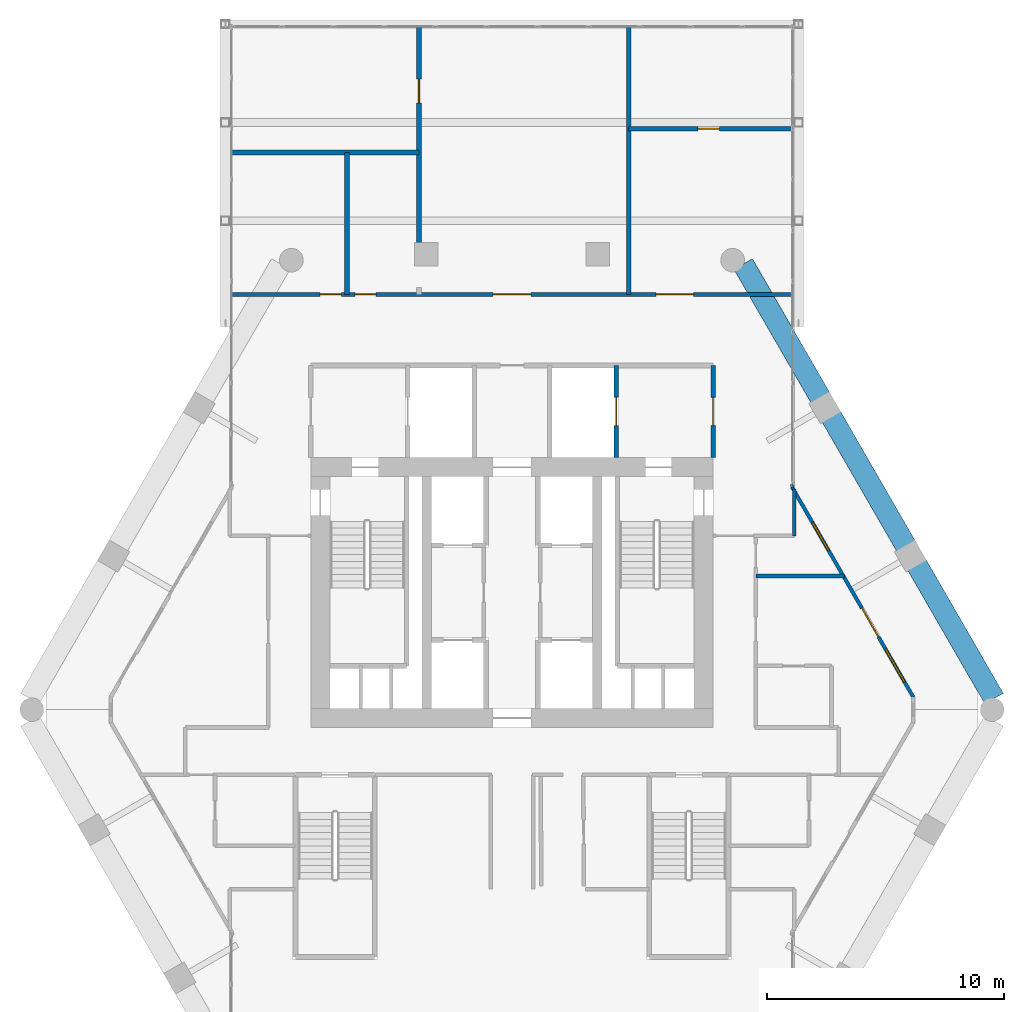
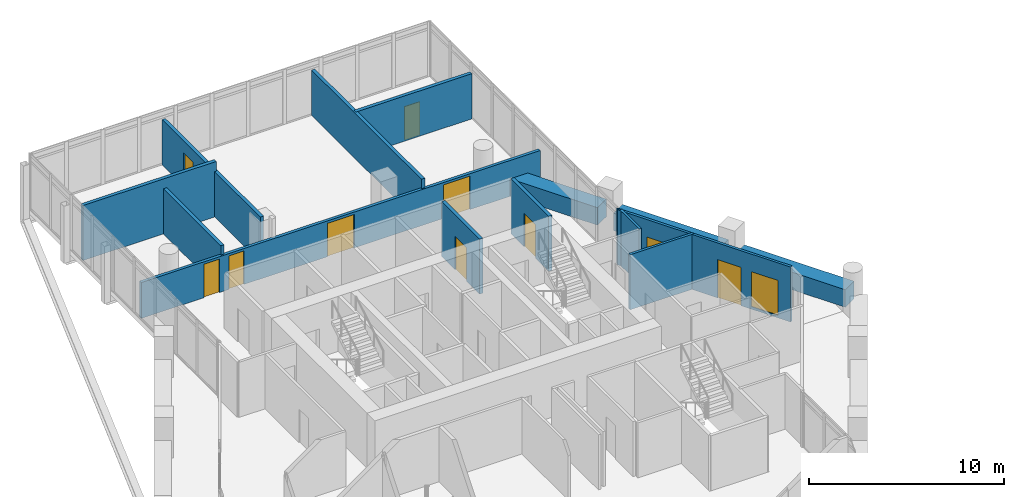
# One storey, part 35 of 38: 15 walls, 9 doors, 2 windows, 11 openings.
"""IFC4 building model written with IfcOpenShell, lengths in metres."""

from ifc_helpers import new_model, si_unit, direction, frame, frame_2d, origin, place, context, subcontext, project, spatial, rectangle, extrude, material, layer, layer_set, type_object, element, fill, save


model = new_model("IFC4")

# Units and contexts
model_context = context("Model", 3, precision=1e-05, world=origin(), true_north=direction((0.0, 1.0)))
body_context = subcontext(model_context, "Body", "Model", "MODEL_VIEW")
ifc_project = project(units=[si_unit("LENGTHUNIT", "METRE"), si_unit("AREAUNIT", "SQUARE_METRE"), si_unit("VOLUMEUNIT", "CUBIC_METRE"), si_unit("PLANEANGLEUNIT", "RADIAN"), si_unit("MASSUNIT", "GRAM", prefix="KILO")], contexts=[model_context])

# Site, building, storey
site_placement = place(None, origin())
site = spatial("IfcSite", under=ifc_project, at=site_placement, CompositionType="ELEMENT")
building_placement = place(site_placement, origin())
building = spatial("IfcBuilding", under=site, at=building_placement, Name="Ostrander Bayou Hotel Tower", CompositionType="ELEMENT")
storey_placement = place(building_placement, frame((0.0, 0.0, 194.5)))
storey = spatial("IfcBuildingStorey", under=building, at=storey_placement, Name="L48", CompositionType="ELEMENT", Elevation=194.5)

# Wall, openings, door, windows
ifc_material_1 = material(Name="Aluminium framed insulated wall", Category="aluminium")
ifc_layer_1 = layer(ifc_material_1, 0.14990234375)
ifc_layer_set_1 = layer_set([ifc_layer_1], Name="GW1 glass-line wall 150 mm")
wall_type_1 = type_object("IfcWallType", Name="GW1 glass-line wall 150 mm", PredefinedType="SOLIDWALL", material=ifc_layer_set_1)
wall_1_placement = place(storey_placement, frame((16.955810546875, -0.416748046875, 0.0), z_axis=(0.0, 0.0, 1.0), x_axis=(-0.499996992154, 0.866027140358, 0.0)))
wall_1 = element("IfcWall", 1, at=wall_1_placement, inside=storey, type_object=wall_type_1, Name="GW1 L48 NE 1", PredefinedType="SOLIDWALL", context=body_context, shape_type="SweptSolid", body=[
    extrude(rectangle(XDim=10.263671875, YDim=0.14990234375, at=frame_2d((5.1318359375, 0.0))), origin(), (0.0, 0.0, 1.0), 3.449951171875),
])
opening_1_placement = place(wall_1_placement, frame((0.73876953125, 0.0, 0.14990234375)))
opening_1 = element("IfcOpeningElement", 2, at=opening_1_placement, cuts=wall_1, Name="Opening W9", PredefinedType="OPENING", context=body_context, shape_type="SweptSolid", body=[
    extrude(rectangle(XDim=1.60009765625, YDim=2.199951171875, at=frame_2d((0.800048828125, 1.10009765625))), frame((0.0, 0.074951171875, 0.0), z_axis=(0.0, -1.0, 0.0), x_axis=(1.0, 0.0, 0.0)), (0.0, 0.0, 1.0), 0.14990234375),
])
opening_2_placement = place(wall_1_placement, frame((2.938720703125, 0.0, 0.0)))
opening_2 = element("IfcOpeningElement", 3, at=opening_2_placement, cuts=wall_1, Name="Opening T48-804", PredefinedType="OPENING", context=body_context, shape_type="SweptSolid", body=[
    extrude(rectangle(XDim=1.39990234375, YDim=2.39990234375, at=frame_2d((0.699951171875, 1.199951171875))), frame((0.0, 0.074951171875, 0.0), z_axis=(0.0, -1.0, 0.0), x_axis=(1.0, 0.0, 0.0)), (0.0, 0.0, 1.0), 0.14990234375),
])
opening_3_placement = place(wall_1_placement, frame((7.138916015625, 0.0, 0.14990234375)))
opening_3 = element("IfcOpeningElement", 4, at=opening_3_placement, cuts=wall_1, Name="Opening W13", PredefinedType="OPENING", context=body_context, shape_type="SweptSolid", body=[
    extrude(rectangle(XDim=1.39990234375, YDim=2.199951171875, at=frame_2d((0.699951171875, 1.10009765625))), frame((0.0, 0.074951171875, 0.0), z_axis=(0.0, -1.0, 0.0), x_axis=(1.0, 0.0, 0.0)), (0.0, 0.0, 1.0), 0.14990234375),
])
ifc_material_2 = material(Name="Aluminium and clear glass", Category="aluminium")
door_type_1 = type_object("IfcDoorType", Name="SD3 sliding glass door 1400 mm, zone 3", OperationType="SLIDING_TO_LEFT", PredefinedType="DOOR", material=ifc_material_2)
door_1_placement = place(opening_2_placement, origin())
door_1 = element("IfcDoor", 5, at=door_1_placement, inside=storey, type_object=door_type_1, Name="SD3 L48 NE 1", OperationType="SLIDING_TO_LEFT", OverallHeight=2.39990234375, OverallWidth=1.39990234375, PredefinedType="DOOR", context=body_context, shape_type="SweptSolid", body=[
    extrude(rectangle(XDim=1.39990234375, YDim=2.39990234375, at=frame_2d((0.699951171875, 1.199951171875))), frame((0.0, 0.02490234375, 0.0), z_axis=(0.0, -1.0, 0.0), x_axis=(1.0, 0.0, 0.0)), (0.0, 0.0, 1.0), 0.050048828125),
])
fill(opening_2, door_1)
ifc_material_3 = material(Name="Aluminium and clear glass", Category="aluminium")
window_type_1 = type_object("IfcWindowType", Name="W13 fixed window 1400 mm, bath bay, zone 3", PartitioningType="SINGLE_PANEL", PredefinedType="WINDOW", material=ifc_material_3)
window_1_placement = place(opening_3_placement, origin())
window_1 = element("IfcWindow", 6, at=window_1_placement, inside=storey, type_object=window_type_1, Name="W13 L48 NE 2", OverallHeight=2.199951171875, OverallWidth=1.39990234375, PartitioningType="SINGLE_PANEL", PredefinedType="WINDOW", context=body_context, shape_type="SweptSolid", body=[
    extrude(rectangle(XDim=1.39990234375, YDim=2.199951171875, at=frame_2d((0.699951171875, 1.10009765625))), frame((0.0, 0.030029296875, 0.0), z_axis=(0.0, -1.0, 0.0), x_axis=(1.0, 0.0, 0.0)), (0.0, 0.0, 1.0), 0.06005859375),
])
fill(opening_3, window_1)
ifc_material_4 = material(Name="Aluminium and clear glass", Category="aluminium")
window_type_2 = type_object("IfcWindowType", Name="W9 fixed window 1600 mm, bar storeys, zone 3", PartitioningType="SINGLE_PANEL", PredefinedType="WINDOW", material=ifc_material_4)
window_2_placement = place(opening_1_placement, origin())
window_2 = element("IfcWindow", 7, at=window_2_placement, inside=storey, type_object=window_type_2, Name="W9 L48 NE 1", OverallHeight=2.199951171875, OverallWidth=1.60009765625, PartitioningType="SINGLE_PANEL", PredefinedType="WINDOW", context=body_context, shape_type="SweptSolid", body=[
    extrude(rectangle(XDim=1.60009765625, YDim=2.199951171875, at=frame_2d((0.800048828125, 1.10009765625))), frame((0.0, 0.030029296875, 0.0), z_axis=(0.0, -1.0, 0.0), x_axis=(1.0, 0.0, 0.0)), (0.0, 0.0, 1.0), 0.06005859375),
])
fill(opening_1, window_2)

# Walls
wall_2_placement = place(storey_placement, frame((11.823974609375, 8.471923828125, 0.0), z_axis=(0.0, 0.0, 1.0), x_axis=(0.337751931921, 0.941235163221, 0.0)))
element("IfcWall", 8, at=wall_2_placement, inside=storey, type_object=wall_type_1, Name="GW1 L48 bar joint 4", PredefinedType="SOLIDWALL", context=body_context, shape_type="SweptSolid", body=[
    extrude(rectangle(XDim=0.098388671875, YDim=0.14990234375, at=frame_2d((0.04931640625, 0.0))), origin(), (0.0, 0.0, 1.0), 3.449951171875),
])
ifc_material_5 = material(Name="Concrete f'c 40 MPa", Category="concrete")
ifc_layer_2 = layer(ifc_material_5, 0.89990234375)
ifc_layer_set_2 = layer_set([ifc_layer_2], Name="PA1 stone-faced parapet 900 mm")
wall_type_2 = type_object("IfcWallType", Name="PA1 stone-faced parapet 900 mm", PredefinedType="PARAPET", material=ifc_layer_set_2)
wall_3_placement = place(storey_placement, frame((20.36962890625, -0.4794921875, 0.0), z_axis=(0.0, 0.0, 1.0), x_axis=(-0.500022104698, 0.866012641255, 0.0)))
element("IfcWall", 9, at=wall_3_placement, inside=storey, type_object=wall_type_2, Name="PA1 L48 NE-1", PredefinedType="PARAPET", context=body_context, shape_type="SweptSolid", body=[
    extrude(rectangle(XDim=6.511962890625, YDim=0.89990234375, at=frame_2d((3.255859375, 0.0))), origin(), (0.0, 0.0, 1.0), 1.10009765625),
])
wall_4_placement = place(storey_placement, frame((16.6435546875, 5.97412109375, 0.0), z_axis=(0.0, 0.0, 1.0), x_axis=(-0.499984268907, 0.866034485945, 0.0)))
element("IfcWall", 10, at=wall_4_placement, inside=storey, type_object=wall_type_2, Name="PA1 L48 NE-2", PredefinedType="PARAPET", context=body_context, shape_type="SweptSolid", body=[
    extrude(rectangle(XDim=6.296142578125, YDim=0.89990234375, at=frame_2d((3.14794921875, 0.0))), origin(), (0.0, 0.0, 1.0), 1.10009765625),
])
wall_5_placement = place(storey_placement, frame((13.025390625, 12.24072265625, 0.0), z_axis=(0.0, 0.0, 1.0), x_axis=(-0.499977752261, 0.866038248142, 0.0)))
element("IfcWall", 11, at=wall_5_placement, inside=storey, type_object=wall_type_2, Name="PA1 L48 NE-3", PredefinedType="PARAPET", context=body_context, shape_type="SweptSolid", body=[
    extrude(rectangle(XDim=6.511962890625, YDim=0.89990234375, at=frame_2d((3.255859375, 0.0))), origin(), (0.0, 0.0, 1.0), 1.10009765625),
])
ifc_material_6 = material(Name="Gypsum board partition", Category="finish")
ifc_layer_3 = layer(ifc_material_6, 0.199951171875)
ifc_layer_set_3 = layer_set([ifc_layer_3], Name="PT3 demising wall 200 mm acoustic double stud, 1 hour")
wall_type_3 = type_object("IfcWallType", Name="PT3 demising wall 200 mm acoustic double stud, 1 hour", PredefinedType="PARTITIONING", material=ifc_layer_set_3)
wall_6_placement = place(storey_placement, frame((-11.838134765625, 22.60009765625, 0.0), z_axis=(0.0, 0.0, 1.0), x_axis=(1.0, 0.0, 0.0)))
element("IfcWall", 12, at=wall_6_placement, inside=storey, type_object=wall_type_3, Name="sw:L48:503", PredefinedType="PARTITIONING", context=body_context, shape_type="SweptSolid", body=[
    extrude(rectangle(XDim=7.906005859375, YDim=0.199951171875, at=frame_2d((3.953125, 0.0))), origin(), (0.0, 0.0, 1.0), 3.449951171875),
])

# Wall, opening, door
wall_7_placement = place(storey_placement, frame((4.93212890625, 23.60009765625, 0.0), z_axis=(0.0, 0.0, 1.0), x_axis=(1.0, 0.0, 0.0)))
wall_7 = element("IfcWall", 13, at=wall_7_placement, inside=storey, type_object=wall_type_3, Name="sw:L48:504", PredefinedType="PARTITIONING", context=body_context, shape_type="SweptSolid", body=[
    extrude(rectangle(XDim=6.8701171875, YDim=0.199951171875, at=frame_2d((3.43505859375, 0.0))), origin(), (0.0, 0.0, 1.0), 2.8388671875),
])
opening_4_placement = place(wall_7_placement, frame((2.93505859375, 0.0, 0.0)))
opening_4 = element("IfcOpeningElement", 14, at=opening_4_placement, cuts=wall_7, Name="Opening T48-1206", PredefinedType="OPENING", context=body_context, shape_type="SweptSolid", body=[
    extrude(rectangle(XDim=0.89990234375, YDim=2.10009765625, at=frame_2d((0.449951171875, 1.050048828125))), frame((0.0, 0.10009765625, 0.0), z_axis=(0.0, -1.0, 0.0), x_axis=(1.0, 0.0, 0.0)), (0.0, 0.0, 1.0), 0.199951171875),
])
ifc_material_7 = material(Name="Timber door leaf", Category="wood")
door_type_2 = type_object("IfcDoorType", Name="D8 room door 900 x 2100 mm", OperationType="SINGLE_SWING_LEFT", PredefinedType="DOOR", material=ifc_material_7)
door_2_placement = place(opening_4_placement, origin())
door_2 = element("IfcDoor", 15, at=door_2_placement, inside=storey, type_object=door_type_2, Name="dr:L48:1206", OperationType="SINGLE_SWING_RIGHT", OverallHeight=2.10009765625, OverallWidth=0.89990234375, PredefinedType="DOOR", context=body_context, shape_type="SweptSolid", body=[
    extrude(rectangle(XDim=0.89990234375, YDim=2.10009765625, at=frame_2d((0.449951171875, 1.050048828125))), frame((0.0, 0.02490234375, 0.0), z_axis=(0.0, -1.0, 0.0), x_axis=(1.0, 0.0, 0.0)), (0.0, 0.0, 1.0), 0.050048828125),
])
fill(opening_4, door_2)

# Wall
wall_8_placement = place(storey_placement, frame((-6.971923828125, 16.60009765625, 0.0), z_axis=(0.0, 0.0, 1.0), x_axis=(0.0, 1.0, 0.0)))
element("IfcWall", 16, at=wall_8_placement, inside=storey, type_object=wall_type_3, Name="sw:L48:505", PredefinedType="PARTITIONING", context=body_context, shape_type="SweptSolid", body=[
    extrude(rectangle(XDim=6.0, YDim=0.199951171875, at=frame_2d((3.0, 0.0))), origin(), (0.0, 0.0, 1.0), 2.8388671875),
])

# Wall, opening, door
wall_9_placement = place(storey_placement, frame((-3.931884765625, 17.806640625, 0.0), z_axis=(0.0, 0.0, 1.0), x_axis=(0.0, 1.0, 0.0)))
wall_9 = element("IfcWall", 17, at=wall_9_placement, inside=storey, type_object=wall_type_3, Name="sw:L48:508", PredefinedType="PARTITIONING", context=body_context, shape_type="SweptSolid", body=[
    extrude(rectangle(XDim=10.090576171875, YDim=0.199951171875, at=frame_2d((5.04541015625, 0.0))), origin(), (0.0, 0.0, 1.0), 2.8388671875),
])
opening_5_placement = place(wall_9_placement, frame((6.886474609375, 0.0, 0.0)))
opening_5 = element("IfcOpeningElement", 18, at=opening_5_placement, cuts=wall_9, Name="Opening T48-1207", PredefinedType="OPENING", context=body_context, shape_type="SweptSolid", body=[
    extrude(rectangle(XDim=1.0, YDim=2.10009765625, at=frame_2d((0.5, 1.050048828125))), frame((0.0, 0.10009765625, 0.0), z_axis=(0.0, -1.0, 0.0), x_axis=(1.0, 0.0, 0.0)), (0.0, 0.0, 1.0), 0.199951171875),
])
ifc_material_8 = material(Name="Timber door leaf", Category="wood")
door_type_3 = type_object("IfcDoorType", Name="D9 service door 1000 x 2100 mm, 30 minute", OperationType="SINGLE_SWING_LEFT", PredefinedType="DOOR", material=ifc_material_8)
door_3_placement = place(opening_5_placement, origin())
door_3 = element("IfcDoor", 19, at=door_3_placement, inside=storey, type_object=door_type_3, Name="dr:L48:1207", OperationType="SINGLE_SWING_LEFT", OverallHeight=2.10009765625, OverallWidth=1.0, PredefinedType="DOOR", context=body_context, shape_type="SweptSolid", body=[
    extrude(rectangle(XDim=1.0, YDim=2.10009765625, at=frame_2d((0.5, 1.050048828125))), frame((0.0, 0.02490234375, 0.0), z_axis=(0.0, -1.0, 0.0), x_axis=(1.0, 0.0, 0.0)), (0.0, 0.0, 1.0), 0.050048828125),
])
fill(opening_5, door_3)

# Wall
wall_10_placement = place(storey_placement, frame((4.931884765625, 16.60009765625, 0.0), z_axis=(0.0, 0.0, 1.0), x_axis=(0.0, 1.0, 0.0)))
element("IfcWall", 20, at=wall_10_placement, inside=storey, type_object=wall_type_3, Name="sw:L48:511", PredefinedType="PARTITIONING", context=body_context, shape_type="SweptSolid", body=[
    extrude(rectangle(XDim=11.297119140625, YDim=0.199951171875, at=frame_2d((5.6484375, 0.0))), origin(), (0.0, 0.0, 1.0), 2.8388671875),
])

# Wall, openings, doors
ifc_material_9 = material(Name="Gypsum board partition", Category="finish")
ifc_layer_4 = layer(ifc_material_9, 0.175048828125)
ifc_layer_set_4 = layer_set([ifc_layer_4], Name="PT4 corridor wall 175 mm, 1 hour")
wall_type_4 = type_object("IfcWallType", Name="PT4 corridor wall 175 mm, 1 hour", PredefinedType="PARTITIONING", material=ifc_layer_set_4)
wall_11_placement = place(storey_placement, frame((-11.838134765625, 16.60009765625, 0.0), z_axis=(0.0, 0.0, 1.0), x_axis=(1.0, 0.0, 0.0)))
wall_11 = element("IfcWall", 21, at=wall_11_placement, inside=storey, type_object=wall_type_4, Name="sw:L48:501", PredefinedType="PARTITIONING", context=body_context, shape_type="SweptSolid", body=[
    extrude(rectangle(XDim=23.67626953125, YDim=0.175048828125, at=frame_2d((11.838134765625, 0.0))), origin(), (0.0, 0.0, 1.0), 2.25),
])
opening_6_placement = place(wall_11_placement, frame((17.913818359375, 0.0, 0.0)))
opening_6 = element("IfcOpeningElement", 22, at=opening_6_placement, cuts=wall_11, Name="Opening T48-1205", PredefinedType="OPENING", context=body_context, shape_type="SweptSolid", body=[
    extrude(rectangle(XDim=1.60009765625, YDim=2.10009765625, at=frame_2d((0.800048828125, 1.050048828125))), frame((0.0, 0.08740234375, 0.0), z_axis=(0.0, -1.0, 0.0), x_axis=(1.0, 0.0, 0.0)), (0.0, 0.0, 1.0), 0.175048828125),
])
opening_7_placement = place(wall_11_placement, frame((3.7333984375, 0.0, 0.0)))
opening_7 = element("IfcOpeningElement", 23, at=opening_7_placement, cuts=wall_11, Name="Opening T48-1208", PredefinedType="OPENING", context=body_context, shape_type="SweptSolid", body=[
    extrude(rectangle(XDim=0.89990234375, YDim=2.10009765625, at=frame_2d((0.449951171875, 1.050048828125))), frame((0.0, 0.08740234375, 0.0), z_axis=(0.0, -1.0, 0.0), x_axis=(1.0, 0.0, 0.0)), (0.0, 0.0, 1.0), 0.175048828125),
])
opening_8_placement = place(wall_11_placement, frame((5.1953125, 0.0, 0.0)))
opening_8 = element("IfcOpeningElement", 24, at=opening_8_placement, cuts=wall_11, Name="Opening T48-1209", PredefinedType="OPENING", context=body_context, shape_type="SweptSolid", body=[
    extrude(rectangle(XDim=0.89990234375, YDim=2.10009765625, at=frame_2d((0.449951171875, 1.050048828125))), frame((0.0, 0.08740234375, 0.0), z_axis=(0.0, -1.0, 0.0), x_axis=(1.0, 0.0, 0.0)), (0.0, 0.0, 1.0), 0.175048828125),
])
opening_9_placement = place(wall_11_placement, frame((11.0380859375, 0.0, 0.0)))
opening_9 = element("IfcOpeningElement", 25, at=opening_9_placement, cuts=wall_11, Name="Opening T48-1210", PredefinedType="OPENING", context=body_context, shape_type="SweptSolid", body=[
    extrude(rectangle(XDim=1.60009765625, YDim=2.10009765625, at=frame_2d((0.800048828125, 1.050048828125))), frame((0.0, 0.08740234375, 0.0), z_axis=(0.0, -1.0, 0.0), x_axis=(1.0, 0.0, 0.0)), (0.0, 0.0, 1.0), 0.175048828125),
])
ifc_material_10 = material(Name="Timber door leaf", Category="wood")
door_type_4 = type_object("IfcDoorType", Name="D13 double door 1600 x 2100 mm, 1 hour", OperationType="SINGLE_SWING_LEFT", PredefinedType="DOOR", material=ifc_material_10)
door_4_placement = place(opening_6_placement, origin())
door_4 = element("IfcDoor", 26, at=door_4_placement, inside=storey, type_object=door_type_4, Name="dr:L48:1205", OperationType="DOUBLE_DOOR_SINGLE_SWING", OverallHeight=2.10009765625, OverallWidth=1.60009765625, PredefinedType="DOOR", context=body_context, shape_type="SweptSolid", body=[
    extrude(rectangle(XDim=1.60009765625, YDim=2.10009765625, at=frame_2d((0.800048828125, 1.050048828125))), frame((0.0, 0.02490234375, 0.0), z_axis=(0.0, -1.0, 0.0), x_axis=(1.0, 0.0, 0.0)), (0.0, 0.0, 1.0), 0.050048828125),
])
fill(opening_6, door_4)
door_5_placement = place(opening_9_placement, origin())
door_5 = element("IfcDoor", 27, at=door_5_placement, inside=storey, type_object=door_type_4, Name="dr:L48:1210", OperationType="DOUBLE_DOOR_SINGLE_SWING", OverallHeight=2.10009765625, OverallWidth=1.60009765625, PredefinedType="DOOR", context=body_context, shape_type="SweptSolid", body=[
    extrude(rectangle(XDim=1.60009765625, YDim=2.10009765625, at=frame_2d((0.800048828125, 1.050048828125))), frame((0.0, 0.02490234375, 0.0), z_axis=(0.0, -1.0, 0.0), x_axis=(1.0, 0.0, 0.0)), (0.0, 0.0, 1.0), 0.050048828125),
])
fill(opening_9, door_5)
door_6_placement = place(opening_7_placement, origin())
door_6 = element("IfcDoor", 28, at=door_6_placement, inside=storey, type_object=door_type_2, Name="dr:L48:1208", OperationType="SINGLE_SWING_RIGHT", OverallHeight=2.10009765625, OverallWidth=0.89990234375, PredefinedType="DOOR", context=body_context, shape_type="SweptSolid", body=[
    extrude(rectangle(XDim=0.89990234375, YDim=2.10009765625, at=frame_2d((0.449951171875, 1.050048828125))), frame((0.0, 0.02490234375, 0.0), z_axis=(0.0, -1.0, 0.0), x_axis=(1.0, 0.0, 0.0)), (0.0, 0.0, 1.0), 0.050048828125),
])
fill(opening_7, door_6)
door_7_placement = place(opening_8_placement, origin())
door_7 = element("IfcDoor", 29, at=door_7_placement, inside=storey, type_object=door_type_2, Name="dr:L48:1209", OperationType="SINGLE_SWING_LEFT", OverallHeight=2.10009765625, OverallWidth=0.89990234375, PredefinedType="DOOR", context=body_context, shape_type="SweptSolid", body=[
    extrude(rectangle(XDim=0.89990234375, YDim=2.10009765625, at=frame_2d((0.449951171875, 1.050048828125))), frame((0.0, 0.02490234375, 0.0), z_axis=(0.0, -1.0, 0.0), x_axis=(1.0, 0.0, 0.0)), (0.0, 0.0, 1.0), 0.050048828125),
])
fill(opening_8, door_7)

# Wall, opening, door
ifc_material_11 = material(Name="Masonry block", Category="masonry")
ifc_layer_5 = layer(ifc_material_11, 0.199951171875)
ifc_layer_set_5 = layer_set([ifc_layer_5], Name="PT5 stair enclosure wall 200 mm masonry, 2 hour")
wall_type_5 = type_object("IfcWallType", Name="PT5 stair enclosure wall 200 mm masonry, 2 hour", PredefinedType="PARTITIONING", material=ifc_layer_set_5)
wall_12_placement = place(storey_placement, frame((8.5, 9.699951171875, 0.0), z_axis=(0.0, 0.0, 1.0), x_axis=(0.0, 1.0, 0.0)))
wall_12 = element("IfcWall", 30, at=wall_12_placement, inside=storey, type_object=wall_type_5, Name="cs:L48:027", PredefinedType="PARTITIONING", context=body_context, shape_type="SweptSolid", body=[
    extrude(rectangle(XDim=3.900146484375, YDim=0.199951171875, at=frame_2d((1.9501953125, 0.0))), origin(), (0.0, 0.0, 1.0), 3.449951171875),
])
opening_10_placement = place(wall_12_placement, frame((1.35009765625, 0.0, 0.0)))
opening_10 = element("IfcOpeningElement", 31, at=opening_10_placement, cuts=wall_12, Name="Opening T48-016", PredefinedType="OPENING", context=body_context, shape_type="SweptSolid", body=[
    extrude(rectangle(XDim=1.199951171875, YDim=2.10009765625, at=frame_2d((0.60009765625, 1.050048828125))), frame((0.0, 0.10009765625, 0.0), z_axis=(0.0, -1.0, 0.0), x_axis=(1.0, 0.0, 0.0)), (0.0, 0.0, 1.0), 0.199951171875),
])
ifc_material_12 = material(Name="Timber door leaf", Category="wood")
door_type_5 = type_object("IfcDoorType", Name="D7 lobby door 1200 x 2100 mm, 1 hour", OperationType="SINGLE_SWING_LEFT", PredefinedType="DOOR", material=ifc_material_12)
door_8_placement = place(opening_10_placement, origin())
door_8 = element("IfcDoor", 32, at=door_8_placement, inside=storey, type_object=door_type_5, Name="dr:L48:016", OperationType="SINGLE_SWING_LEFT", OverallHeight=2.10009765625, OverallWidth=1.199951171875, PredefinedType="DOOR", context=body_context, shape_type="SweptSolid", body=[
    extrude(rectangle(XDim=1.199951171875, YDim=2.10009765625, at=frame_2d((0.60009765625, 1.050048828125))), frame((0.0, 0.02490234375, 0.0), z_axis=(0.0, -1.0, 0.0), x_axis=(1.0, 0.0, 0.0)), (0.0, 0.0, 1.0), 0.050048828125),
])
fill(opening_10, door_8)

wall_13_placement = place(storey_placement, frame((4.39990234375, 9.699951171875, 0.0), z_axis=(0.0, 0.0, 1.0), x_axis=(0.0, 1.0, 0.0)))
wall_13 = element("IfcWall", 33, at=wall_13_placement, inside=storey, type_object=wall_type_5, Name="cs:L48:029", PredefinedType="PARTITIONING", context=body_context, shape_type="SweptSolid", body=[
    extrude(rectangle(XDim=3.900146484375, YDim=0.199951171875, at=frame_2d((1.9501953125, 0.0))), origin(), (0.0, 0.0, 1.0), 3.449951171875),
])
opening_11_placement = place(wall_13_placement, frame((1.35009765625, 0.0, 0.0)))
opening_11 = element("IfcOpeningElement", 34, at=opening_11_placement, cuts=wall_13, Name="Opening T48-015", PredefinedType="OPENING", context=body_context, shape_type="SweptSolid", body=[
    extrude(rectangle(XDim=1.199951171875, YDim=2.10009765625, at=frame_2d((0.60009765625, 1.050048828125))), frame((0.0, 0.10009765625, 0.0), z_axis=(0.0, -1.0, 0.0), x_axis=(1.0, 0.0, 0.0)), (0.0, 0.0, 1.0), 0.199951171875),
])
ifc_material_13 = material(Name="Stainless steel sliding door", Category="steel")
door_type_6 = type_object("IfcDoorType", Name="LD1 lift landing door 1200 x 2100 mm", OperationType="SINGLE_SWING_LEFT", PredefinedType="DOOR", material=ifc_material_13)
door_9_placement = place(opening_11_placement, origin())
door_9 = element("IfcDoor", 35, at=door_9_placement, inside=storey, type_object=door_type_6, Name="dr:L48:015", OperationType="SLIDING_TO_LEFT", OverallHeight=2.10009765625, OverallWidth=1.199951171875, PredefinedType="DOOR", context=body_context, shape_type="SweptSolid", body=[
    extrude(rectangle(XDim=1.199951171875, YDim=2.10009765625, at=frame_2d((0.60009765625, 1.050048828125))), frame((0.0, 0.02490234375, 0.0), z_axis=(0.0, -1.0, 0.0), x_axis=(1.0, 0.0, 0.0)), (0.0, 0.0, 1.0), 0.050048828125),
])
fill(opening_11, door_9)

# Walls
ifc_material_14 = material(Name="Gypsum board partition", Category="finish")
ifc_layer_6 = layer(ifc_material_14, 0.14990234375)
ifc_layer_set_6 = layer_set([ifc_layer_6], Name="PT8 service band wall 150 mm, 1 hour")
wall_type_6 = type_object("IfcWallType", Name="PT8 service band wall 150 mm, 1 hour", PredefinedType="PARTITIONING", material=ifc_layer_set_6)
wall_14_placement = place(storey_placement, frame((10.300048828125, 4.699951171875, 0.0), z_axis=(0.0, 0.0, 1.0), x_axis=(1.0, 0.0, 0.0)))
element("IfcWall", 36, at=wall_14_placement, inside=storey, type_object=wall_type_6, Name="gw:L48:015", PredefinedType="PARTITIONING", context=body_context, shape_type="SweptSolid", body=[
    extrude(rectangle(XDim=3.75390625, YDim=0.14990234375, at=frame_2d((1.876953125, 0.0))), origin(), (0.0, 0.0, 1.0), 3.449951171875),
])
wall_15_placement = place(storey_placement, frame((11.929931640625, 6.39990234375, 0.0), z_axis=(0.0, 0.0, 1.0), x_axis=(0.0, 1.0, 0.0)))
element("IfcWall", 37, at=wall_15_placement, inside=storey, type_object=wall_type_6, Name="gw:L48:022", PredefinedType="PARTITIONING", context=body_context, shape_type="SweptSolid", body=[
    extrude(rectangle(XDim=1.97802734375, YDim=0.14990234375, at=frame_2d((0.989013671875, 0.0))), origin(), (0.0, 0.0, 1.0), 3.449951171875),
])

save(model, "model.ifc")
